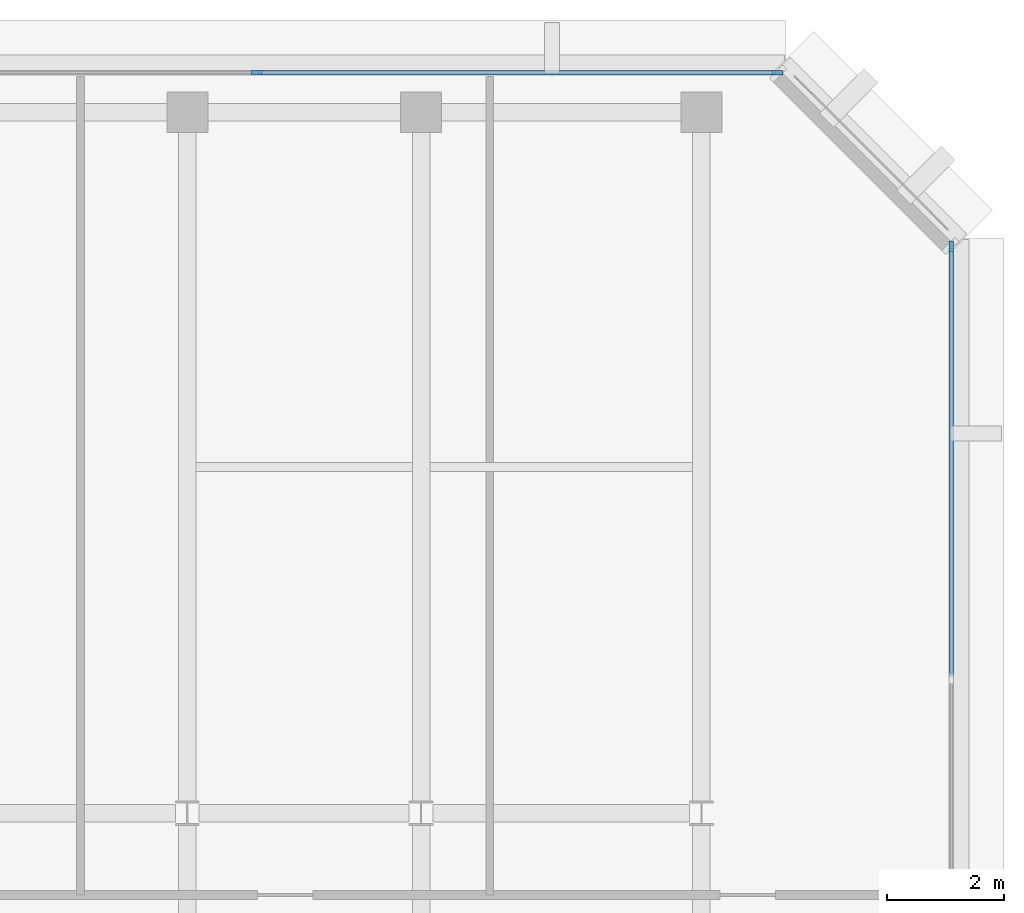
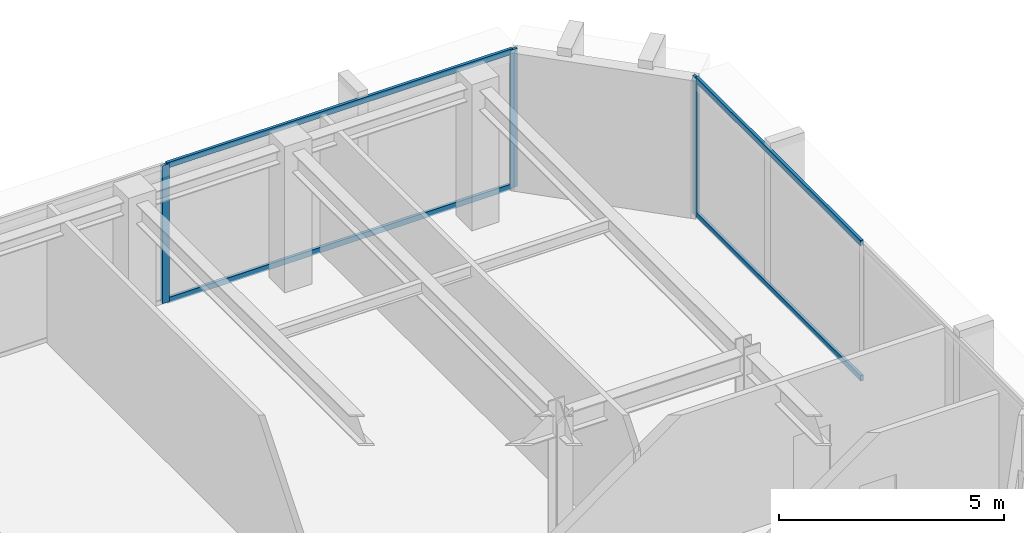
# One storey, part 5 of 11: 7 members, 2 elements without a shape of their own.
"""IFC4 building model written with IfcOpenShell, lengths in metres."""

from ifc_helpers import new_model, si_unit, direction, frame, origin, origin_2d, place, context, subcontext, project, spatial, rectangle, extrude, material, layer, layer_set, material_profile, profile_set, type_object, element, aggregate, save


model = new_model("IFC4")

# Units and contexts
model_context = context("Model", 3, precision=1e-05, world=origin(), true_north=direction((0.0, 1.0)))
body_context = subcontext(model_context, "Body", "Model", "MODEL_VIEW")
ifc_project = project(units=[si_unit("LENGTHUNIT", "METRE"), si_unit("AREAUNIT", "SQUARE_METRE"), si_unit("VOLUMEUNIT", "CUBIC_METRE"), si_unit("PLANEANGLEUNIT", "RADIAN"), si_unit("MASSUNIT", "GRAM", prefix="KILO")], contexts=[model_context])

# Site, building, storey
site_placement = place(None, origin())
site = spatial("IfcSite", under=ifc_project, at=site_placement, CompositionType="ELEMENT")
building_placement = place(site_placement, origin())
building = spatial("IfcBuilding", under=site, at=building_placement, Name="Kefirva Bronze Tower", CompositionType="ELEMENT")
storey_placement = place(building_placement, frame((0.0, 0.0, 292.050048828125)))
storey = spatial("IfcBuildingStorey", under=building, at=storey_placement, Name="L71", CompositionType="ELEMENT", Elevation=292.050048828125)

# Curtain wall, member
ifc_material = material(Name="Bronze anodised aluminium", Category="aluminium")
ifc_layer = layer(ifc_material, 0.179931640625, Name="Bronze anodised aluminium")
ifc_layer_set = layer_set([ifc_layer], Name="Bronze anodised aluminium")
curtain_wall_type = type_object("IfcCurtainWallType", Name="Unitised Bronze Ribbon Curtain Wall Zone 4", PredefinedType="USERDEFINED", material=ifc_layer_set)
curtain_wall_1_placement = place(storey_placement, origin())
curtain_wall_1 = element("IfcCurtainWall", 1, at=curtain_wall_1_placement, inside=storey, type_object=curtain_wall_type, Name="L71 Curtain Wall 3", ObjectType="UNITISED CURTAIN WALL", PredefinedType="USERDEFINED")
ifc_material_profile_1 = material_profile(ifc_material, rectangle(XDim=0.074951171875, YDim=0.179931640625, at=origin_2d()), Name="ALU 75x180")
ifc_profile_set_1 = profile_set([ifc_material_profile_1], Name="Bronze anodised aluminium")
member_type_1 = type_object("IfcMemberType", Name="Bronze Mullion 75x180", PredefinedType="MULLION", material=ifc_profile_set_1)
member_1_placement = place(storey_placement, frame((44.280029296875, 42.907470703125, 0.0), z_axis=(0.0, 0.0, 1.0), x_axis=(-1.0, 0.0, 0.0)))
member_1 = element("IfcMember", 2, at=member_1_placement, type_object=member_type_1, Name="CW-04 mullion 3", PredefinedType="MULLION", context=body_context, shape_type="SweptSolid", body=[
    extrude(rectangle(XDim=0.074951171875, YDim=0.179931640625, at=origin_2d()), origin(), (0.0, 0.0, 1.0), 3.739990234375),
])

# Curtain wall, members
curtain_wall_2_placement = place(storey_placement, origin())
curtain_wall_2 = element("IfcCurtainWall", 3, at=curtain_wall_2_placement, inside=storey, type_object=curtain_wall_type, Name="L71 Curtain Wall 4", ObjectType="UNITISED CURTAIN WALL", PredefinedType="USERDEFINED")
member_2_placement = place(storey_placement, frame((41.3076171875, 45.8798828125, 0.0), z_axis=(0.0, 0.0, 1.0), x_axis=(0.0, -1.0, 0.0)))
member_2 = element("IfcMember", 4, at=member_2_placement, type_object=member_type_1, Name="CW-04 mullion 1", PredefinedType="MULLION", context=body_context, shape_type="SweptSolid", body=[
    extrude(rectangle(XDim=0.074951171875, YDim=0.179931640625, at=origin_2d()), origin(), (0.0, 0.0, 1.0), 3.739990234375),
])
member_3_placement = place(storey_placement, frame((32.375, 45.8798828125, 0.0), z_axis=(0.0, 0.0, 1.0), x_axis=(0.0, -1.0, 0.0)))
member_3 = element("IfcMember", 5, at=member_3_placement, type_object=member_type_1, Name="CW-04 mullion 2", PredefinedType="MULLION", context=body_context, shape_type="SweptSolid", body=[
    extrude(rectangle(XDim=0.074951171875, YDim=0.179931640625, at=origin_2d()), origin(), (0.0, 0.0, 1.0), 3.739990234375),
])

# Member
ifc_material_profile_2 = material_profile(ifc_material, rectangle(XDim=0.074951171875, YDim=0.14990234375, at=origin_2d()), Name="ALU 75x150")
ifc_profile_set_2 = profile_set([ifc_material_profile_2], Name="Bronze anodised aluminium")
member_type_2 = type_object("IfcMemberType", Name="Bronze Transom 75x150", PredefinedType="USERDEFINED", material=ifc_profile_set_2)
member_4_placement = place(storey_placement, frame((44.280029296875, 35.53759765625, 0.037353515625), z_axis=(0.0, 1.0, 0.0), x_axis=(-1.0, 0.0, 0.0)))
member_4 = element("IfcMember", 6, at=member_4_placement, type_object=member_type_2, Name="CW-04 transom 2.1", ObjectType="TRANSOM", PredefinedType="USERDEFINED", context=body_context, shape_type="SweptSolid", body=[
    extrude(rectangle(XDim=0.074951171875, YDim=0.14990234375, at=origin_2d()), origin(), (0.0, 0.0, 1.0), 7.33251953125),
])

member_5_placement = place(storey_placement, frame((44.280029296875, 35.53759765625, 3.702392578125), z_axis=(0.0, 1.0, 0.0), x_axis=(-1.0, 0.0, 0.0)))
member_5 = element("IfcMember", 7, at=member_5_placement, type_object=member_type_2, Name="CW-04 transom 2.2", ObjectType="TRANSOM", PredefinedType="USERDEFINED", context=body_context, shape_type="SweptSolid", body=[
    extrude(rectangle(XDim=0.074951171875, YDim=0.14990234375, at=origin_2d()), origin(), (0.0, 0.0, 1.0), 7.33251953125),
])

aggregate(curtain_wall_1, [member_1, member_4, member_5])

member_6_placement = place(storey_placement, frame((41.27001953125, 45.8798828125, 0.037353515625), z_axis=(-1.0, 0.0, 0.0), x_axis=(0.0, -1.0, 0.0)))
member_6 = element("IfcMember", 8, at=member_6_placement, type_object=member_type_2, Name="CW-04 transom 1.1", ObjectType="TRANSOM", PredefinedType="USERDEFINED", context=body_context, shape_type="SweptSolid", body=[
    extrude(rectangle(XDim=0.074951171875, YDim=0.14990234375, at=origin_2d()), origin(), (0.0, 0.0, 1.0), 8.857421875),
])

member_7_placement = place(storey_placement, frame((41.27001953125, 45.8798828125, 3.702392578125), z_axis=(-1.0, 0.0, 0.0), x_axis=(0.0, -1.0, 0.0)))
member_7 = element("IfcMember", 9, at=member_7_placement, type_object=member_type_2, Name="CW-04 transom 1.2", ObjectType="TRANSOM", PredefinedType="USERDEFINED", context=body_context, shape_type="SweptSolid", body=[
    extrude(rectangle(XDim=0.074951171875, YDim=0.14990234375, at=origin_2d()), origin(), (0.0, 0.0, 1.0), 8.857421875),
])

aggregate(curtain_wall_2, [member_2, member_3, member_6, member_7])

save(model, "model.ifc")
